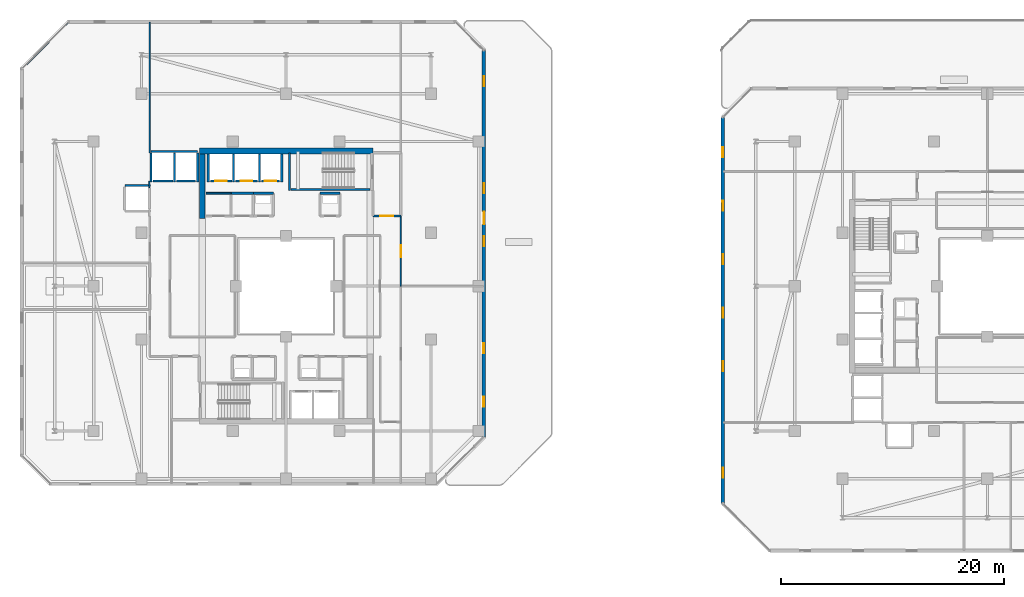
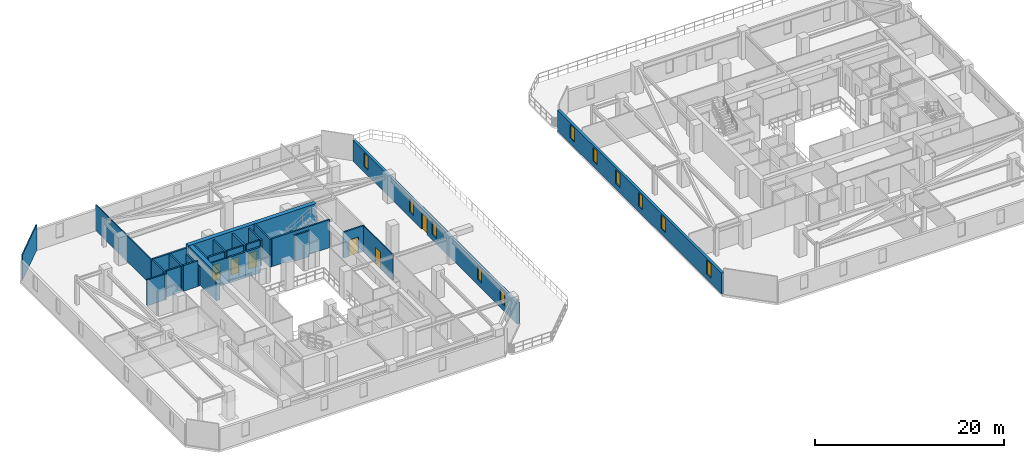
# One storey, part 22 of 32: 29 walls, 11 windows, 6 doors, 17 openings.
"""IFC4 building model written with IfcOpenShell, lengths in metres."""

from ifc_helpers import new_model, si_unit, direction, frame, frame_2d, origin, place, context, subcontext, project, spatial, rectangle, extrude, material, layer, layer_set, type_object, element, fill, save


model = new_model("IFC4")

# Units and contexts
model_context = context("Model", 3, precision=1e-05, world=origin(), true_north=direction((0.0, 1.0)))
body_context = subcontext(model_context, "Body", "Model", "MODEL_VIEW")
ifc_project = project(units=[si_unit("LENGTHUNIT", "METRE"), si_unit("AREAUNIT", "SQUARE_METRE"), si_unit("VOLUMEUNIT", "CUBIC_METRE"), si_unit("PLANEANGLEUNIT", "RADIAN"), si_unit("MASSUNIT", "GRAM", prefix="KILO")], contexts=[model_context])

# Site, building, storey
site_placement = place(None, origin())
site = spatial("IfcSite", under=ifc_project, at=site_placement, CompositionType="ELEMENT")
building_placement = place(site_placement, origin())
building = spatial("IfcBuilding", under=site, at=building_placement, Name="Thornwick Lancets Civic Towers", CompositionType="ELEMENT")
storey_placement = place(building_placement, frame((0.0, 0.0, 200.10009765625)))
storey = spatial("IfcBuildingStorey", under=building, at=storey_placement, Name="L53", CompositionType="ELEMENT", Elevation=200.10009765625)

# Wall, opening, door
ifc_material_1 = material(Name="Concrete blockwork C40/50", Category="masonry")
ifc_layer_1 = layer(ifc_material_1, 0.199951171875, Name="Concrete blockwork C40/50")
ifc_layer_set_1 = layer_set([ifc_layer_1], Name="Concrete blockwork C40/50")
wall_type_1 = type_object("IfcWallType", Name="WALL_COMP_200", PredefinedType="STANDARD", material=ifc_layer_set_1)
wall_1_placement = place(storey_placement, frame((24.919921875, 36.449951171875, 0.0), z_axis=(0.0, 0.0, 1.0), x_axis=(-1.0, 0.0, 0.0)))
wall_1 = element("IfcWall", 1, at=wall_1_placement, inside=storey, type_object=wall_type_1, Name="L53 Hoistway Front Wall FL-A2", PredefinedType="STANDARD", context=body_context, shape_type="SweptSolid", body=[
    extrude(rectangle(XDim=1.639892578125, YDim=0.199951171875, at=frame_2d((0.81982421875, 0.0))), origin(), (0.0, 0.0, 1.0), 3.31982421875),
])
opening_1_placement = place(wall_1_placement, frame((0.31005859375, 0.0, 0.0)))
opening_1 = element("IfcOpeningElement", 2, at=opening_1_placement, cuts=wall_1, Name="Opening LD-FL-A2", PredefinedType="OPENING", context=body_context, shape_type="SweptSolid", body=[
    extrude(rectangle(XDim=1.02001953125, YDim=2.06005859375, at=frame_2d((0.510009765625, 1.030029296875))), frame((0.0, 0.10986328125, 0.0), z_axis=(0.0, -1.0, 0.0), x_axis=(1.0, 0.0, 0.0)), (0.0, 0.0, 1.0), 0.219970703125),
])
ifc_material_2 = material(Name="Brushed bronze stainless steel", Category="steel")
door_type_1 = type_object("IfcDoorType", Name="DOOR_LIFT_SLIDE", OperationType="SLIDING_TO_LEFT", PredefinedType="DOOR", material=ifc_material_2)
door_1_placement = place(opening_1_placement, origin())
door_1 = element("IfcDoor", 3, at=door_1_placement, inside=storey, type_object=door_type_1, Name="L53 Sliding Lift Landing Door LD-FL-A2", OperationType="SLIDING_TO_LEFT", OverallHeight=2.06005859375, OverallWidth=1.02001953125, PredefinedType="DOOR", context=body_context, shape_type="SweptSolid", body=[
    extrude(rectangle(XDim=1.02001953125, YDim=2.06005859375, at=frame_2d((0.510009765625, 1.030029296875))), frame((0.0, 0.02490234375, 0.0), z_axis=(0.0, -1.0, 0.0), x_axis=(1.0, 0.0, 0.0)), (0.0, 0.0, 1.0), 0.050048828125),
])
fill(opening_1, door_1)

wall_2_placement = place(storey_placement, frame((22.919921875, 36.449951171875, 0.0), z_axis=(0.0, 0.0, 1.0), x_axis=(-1.0, 0.0, 0.0)))
wall_2 = element("IfcWall", 4, at=wall_2_placement, inside=storey, type_object=wall_type_1, Name="L53 Hoistway Front Wall PL-AH2", PredefinedType="STANDARD", context=body_context, shape_type="SweptSolid", body=[
    extrude(rectangle(XDim=1.989990234375, YDim=0.199951171875, at=frame_2d((0.9951171875, 0.0))), origin(), (0.0, 0.0, 1.0), 3.31982421875),
])
opening_2_placement = place(wall_2_placement, frame((0.485107421875, 0.0, 0.0)))
opening_2 = element("IfcOpeningElement", 5, at=opening_2_placement, cuts=wall_2, Name="Opening LD-PL-AH2", PredefinedType="OPENING", context=body_context, shape_type="SweptSolid", body=[
    extrude(rectangle(XDim=1.02001953125, YDim=2.06005859375, at=frame_2d((0.510009765625, 1.030029296875))), frame((0.0, 0.10986328125, 0.0), z_axis=(0.0, -1.0, 0.0), x_axis=(1.0, 0.0, 0.0)), (0.0, 0.0, 1.0), 0.219970703125),
])
door_2_placement = place(opening_2_placement, origin())
door_2 = element("IfcDoor", 6, at=door_2_placement, inside=storey, type_object=door_type_1, Name="L53 Sliding Lift Landing Door LD-PL-AH2", OperationType="SLIDING_TO_LEFT", OverallHeight=2.06005859375, OverallWidth=1.02001953125, PredefinedType="DOOR", context=body_context, shape_type="SweptSolid", body=[
    extrude(rectangle(XDim=1.02001953125, YDim=2.06005859375, at=frame_2d((0.510009765625, 1.030029296875))), frame((0.0, 0.02490234375, 0.0), z_axis=(0.0, -1.0, 0.0), x_axis=(1.0, 0.0, 0.0)), (0.0, 0.0, 1.0), 0.050048828125),
])
fill(opening_2, door_2)

wall_3_placement = place(storey_placement, frame((20.6201171875, 36.449951171875, 0.0), z_axis=(0.0, 0.0, 1.0), x_axis=(-1.0, 0.0, 0.0)))
wall_3 = element("IfcWall", 7, at=wall_3_placement, inside=storey, type_object=wall_type_1, Name="L53 Hoistway Front Wall PL-AH3", PredefinedType="STANDARD", context=body_context, shape_type="SweptSolid", body=[
    extrude(rectangle(XDim=1.940185546875, YDim=0.199951171875, at=frame_2d((0.97021484375, 0.0))), origin(), (0.0, 0.0, 1.0), 3.31982421875),
])
opening_3_placement = place(wall_3_placement, frame((0.4599609375, 0.0, 0.0)))
opening_3 = element("IfcOpeningElement", 8, at=opening_3_placement, cuts=wall_3, Name="Opening LD-PL-AH3", PredefinedType="OPENING", context=body_context, shape_type="SweptSolid", body=[
    extrude(rectangle(XDim=1.02001953125, YDim=2.06005859375, at=frame_2d((0.510009765625, 1.030029296875))), frame((0.0, 0.10986328125, 0.0), z_axis=(0.0, -1.0, 0.0), x_axis=(1.0, 0.0, 0.0)), (0.0, 0.0, 1.0), 0.219970703125),
])
door_3_placement = place(opening_3_placement, origin())
door_3 = element("IfcDoor", 9, at=door_3_placement, inside=storey, type_object=door_type_1, Name="L53 Sliding Lift Landing Door LD-PL-AH3", OperationType="SLIDING_TO_LEFT", OverallHeight=2.06005859375, OverallWidth=1.02001953125, PredefinedType="DOOR", context=body_context, shape_type="SweptSolid", body=[
    extrude(rectangle(XDim=1.02001953125, YDim=2.06005859375, at=frame_2d((0.510009765625, 1.030029296875))), frame((0.0, 0.02490234375, 0.0), z_axis=(0.0, -1.0, 0.0), x_axis=(1.0, 0.0, 0.0)), (0.0, 0.0, 1.0), 0.050048828125),
])
fill(opening_3, door_3)

# Walls
wall_4_placement = place(storey_placement, frame((17.3701171875, 36.449951171875, 0.0), z_axis=(0.0, 0.0, 1.0), x_axis=(-1.0, 0.0, 0.0)))
element("IfcWall", 10, at=wall_4_placement, inside=storey, type_object=wall_type_1, Name="L53 Hoistway Front Wall PL-AM1", PredefinedType="STANDARD", context=body_context, shape_type="SweptSolid", body=[
    extrude(rectangle(XDim=1.740234375, YDim=0.199951171875, at=frame_2d((0.8701171875, 0.0))), origin(), (0.0, 0.0, 1.0), 3.31982421875),
])
wall_5_placement = place(storey_placement, frame((15.320068359375, 36.449951171875, 0.0), z_axis=(0.0, 0.0, 1.0), x_axis=(-1.0, 0.0, 0.0)))
element("IfcWall", 11, at=wall_5_placement, inside=storey, type_object=wall_type_1, Name="L53 Hoistway Front Wall PL-AM2", PredefinedType="STANDARD", context=body_context, shape_type="SweptSolid", body=[
    extrude(rectangle(XDim=1.7900390625, YDim=0.199951171875, at=frame_2d((0.89501953125, 0.0))), origin(), (0.0, 0.0, 1.0), 3.31982421875),
])
for number, where, z_axis, x_axis, name in (
    (12, (25.10009765625, 36.35205078125, 0.0), (0.0, 0.0, 1.0), (0.0, 1.0, 0.0), "L53 Hoistway Shaft Wall FL-A2 E"),
    (13, (23.10009765625, 36.35205078125, 0.0), (0.0, 0.0, 1.0), (0.0, 1.0, 0.0), "L53 Hoistway Shaft Wall FL-A2 W"),
    (14, (20.77490234375, 36.35205078125, 0.0), (0.0, 0.0, 1.0), (0.0, 1.0, 0.0), "L53 Hoistway Shaft Wall PL-AH2 W"),
    (15, (18.5, 36.35205078125, 0.0), (0.0, 0.0, 1.0), (0.0, 1.0, 0.0), "L53 Hoistway Shaft Wall PL-AH3 W"),
):
    element("IfcWall", number, at=place(storey_placement, frame(where, z_axis=z_axis, x_axis=x_axis)), inside=storey, type_object=wall_type_1, Name=name, PredefinedType="STANDARD", context=body_context, shape_type="SweptSolid", body=[
        extrude(rectangle(XDim=2.535888671875, YDim=0.199951171875, at=frame_2d((1.26806640625, 0.0))), origin(), (0.0, 0.0, 1.0), 3.31982421875),
    ])
wall_6_placement = place(storey_placement, frame((13.35205078125, 39.10009765625, 0.0), z_axis=(0.0, 0.0, 1.0), x_axis=(1.0, 0.0, 0.0)))
element("IfcWall", 16, at=wall_6_placement, inside=storey, type_object=wall_type_1, Name="L53 Hoistway Shaft Wall PL-AM1 N", PredefinedType="STANDARD", context=body_context, shape_type="SweptSolid", body=[
    extrude(rectangle(XDim=4.196044921875, YDim=0.199951171875, at=frame_2d((2.09814453125, 0.0))), origin(), (0.0, 0.0, 1.0), 3.31982421875),
])
wall_7_placement = place(storey_placement, frame((17.550048828125, 36.35205078125, 0.0), z_axis=(0.0, 0.0, 1.0), x_axis=(0.0, 1.0, 0.0)))
element("IfcWall", 17, at=wall_7_placement, inside=storey, type_object=wall_type_1, Name="L53 Hoistway Shaft Wall PL-AM1 E", PredefinedType="STANDARD", context=body_context, shape_type="SweptSolid", body=[
    extrude(rectangle(XDim=2.635986328125, YDim=0.199951171875, at=frame_2d((1.31787109375, 0.0))), origin(), (0.0, 0.0, 1.0), 2.52490234375),
])
for number, where, z_axis, x_axis, name in (
    (18, (15.47509765625, 36.35205078125, 0.0), (0.0, 0.0, 1.0), (0.0, 1.0, 0.0), "L53 Hoistway Shaft Wall PL-AM1 W"),
    (19, (13.35009765625, 36.35205078125, 0.0), (0.0, 0.0, 1.0), (0.0, 1.0, 0.0), "L53 Hoistway Shaft Wall PL-AM2 W"),
):
    element("IfcWall", number, at=place(storey_placement, frame(where, z_axis=z_axis, x_axis=x_axis)), inside=storey, type_object=wall_type_1, Name=name, PredefinedType="STANDARD", context=body_context, shape_type="SweptSolid", body=[
        extrude(rectangle(XDim=2.635986328125, YDim=0.199951171875, at=frame_2d((1.31787109375, 0.0))), origin(), (0.0, 0.0, 1.0), 3.31982421875),
    ])
wall_8_placement = place(storey_placement, frame((11.001953125, 36.050048828125, 0.0), z_axis=(0.0, 0.0, 1.0), x_axis=(1.0, 0.0, 0.0)))
element("IfcWall", 20, at=wall_8_placement, inside=storey, type_object=wall_type_1, Name="L53 Hoistway Shaft Wall PL-AM3 N", PredefinedType="STANDARD", context=body_context, shape_type="SweptSolid", body=[
    extrude(rectangle(XDim=2.296142578125, YDim=0.199951171875, at=frame_2d((1.14794921875, 0.0))), origin(), (0.0, 0.0, 1.0), 3.31982421875),
])

# Wall, opening, door
wall_9_placement = place(storey_placement, frame((33.300048828125, 33.300048828125, 0.0), z_axis=(0.0, 0.0, 1.0), x_axis=(1.0, 0.0, 0.0)))
wall_9 = element("IfcWall", 21, at=wall_9_placement, inside=storey, type_object=wall_type_1, Name="L53 Partition L53-A-FFLOB2 E1", PredefinedType="STANDARD", context=body_context, shape_type="SweptSolid", body=[
    extrude(rectangle(XDim=2.5, YDim=0.199951171875, at=frame_2d((1.25, 0.0))), origin(), (0.0, 0.0, 1.0), 3.31982421875),
])
opening_4_placement = place(wall_9_placement, frame((0.675048828125, 0.0, 0.0)))
opening_4 = element("IfcOpeningElement", 22, at=opening_4_placement, cuts=wall_9, Name="Opening D-L53-2346", PredefinedType="OPENING", context=body_context, shape_type="SweptSolid", body=[
    extrude(rectangle(XDim=1.14990234375, YDim=2.10009765625, at=frame_2d((0.574951171875, 1.050048828125))), frame((0.0, 0.10986328125, 0.0), z_axis=(0.0, -1.0, 0.0), x_axis=(1.0, 0.0, 0.0)), (0.0, 0.0, 1.0), 0.219970703125),
])
ifc_material_3 = material(Name="Glazed fire-resisting steel", Category="steel")
door_type_2 = type_object("IfcDoorType", Name="DOOR_LOBBY_FD60", OperationType="NOTDEFINED", PredefinedType="DOOR", material=ifc_material_3)
door_4_placement = place(opening_4_placement, origin())
door_4 = element("IfcDoor", 23, at=door_4_placement, inside=storey, type_object=door_type_2, Name="L53 North Firefighting Lobby 2 Door", OperationType="SINGLE_SWING_LEFT", OverallHeight=2.10009765625, OverallWidth=1.14990234375, PredefinedType="DOOR", context=body_context, shape_type="SweptSolid", body=[
    extrude(rectangle(XDim=1.14990234375, YDim=2.10009765625, at=frame_2d((0.574951171875, 1.050048828125))), frame((0.0, 0.02490234375, 0.0), z_axis=(0.0, -1.0, 0.0), x_axis=(1.0, 0.0, 0.0)), (0.0, 0.0, 1.0), 0.050048828125),
])
fill(opening_4, door_4)

# Walls
for number, where, z_axis, x_axis, name in (
    (24, (24.35009765625, 35.35009765625, 0.0), (0.0, 0.0, 1.0), (-1.0, 0.0, 0.0), "L53 Partition L53-A-DUCT2 E3"),
    (25, (30.35009765625, 35.35009765625, 0.0), (0.0, 0.0, 1.0), (-1.0, 0.0, 0.0), "L53 Partition L53-A-RISER2 E3"),
):
    element("IfcWall", number, at=place(storey_placement, frame(where, z_axis=z_axis, x_axis=x_axis)), inside=storey, type_object=wall_type_1, Name=name, PredefinedType="STANDARD", context=body_context, shape_type="SweptSolid", body=[
        extrude(rectangle(XDim=1.800048828125, YDim=0.199951171875, at=frame_2d((0.89990234375, 0.0))), origin(), (0.0, 0.0, 1.0), 3.31982421875),
    ])
wall_10_placement = place(storey_placement, frame((20.550048828125, 35.35009765625, 0.0), z_axis=(0.0, 0.0, 1.0), x_axis=(1.0, 0.0, 0.0)))
element("IfcWall", 26, at=wall_10_placement, inside=storey, type_object=wall_type_1, Name="L53 Partition L53-A-STR E2", PredefinedType="STANDARD", context=body_context, shape_type="SweptSolid", body=[
    extrude(rectangle(XDim=2.0, YDim=0.199951171875, at=frame_2d((1.0, 0.0))), origin(), (0.0, 0.0, 1.0), 3.31982421875),
])
ifc_material_4 = material(Name="Concrete C50/60", Category="concrete")
ifc_layer_2 = layer(ifc_material_4, 0.5, Name="Concrete C50/60")
ifc_layer_set_2 = layer_set([ifc_layer_2], Name="Concrete C50/60")
wall_type_2 = type_object("IfcWallType", Name="WALL_CORE_500", PredefinedType="SHEAR", material=ifc_layer_set_2)
wall_11_placement = place(storey_placement, frame((17.699951171875, 39.14990234375, 0.0), z_axis=(0.0, 0.0, 1.0), x_axis=(1.0, 0.0, 0.0)))
element("IfcWall", 27, at=wall_11_placement, inside=storey, type_object=wall_type_2, Name="L53 Split Core A2 Shear Wall N", PredefinedType="SHEAR", context=body_context, shape_type="SweptSolid", body=[
    extrude(rectangle(XDim=15.60009765625, YDim=0.5, at=frame_2d((7.800048828125, 0.0))), origin(), (0.0, 0.0, 1.0), 3.599853515625),
])
wall_12_placement = place(storey_placement, frame((17.949951171875, 33.10009765625, 0.0), z_axis=(0.0, 0.0, 1.0), x_axis=(0.0, 1.0, 0.0)))
element("IfcWall", 28, at=wall_12_placement, inside=storey, type_object=wall_type_2, Name="L53 Split Core A2 Shear Wall W", PredefinedType="SHEAR", context=body_context, shape_type="SweptSolid", body=[
    extrude(rectangle(XDim=5.7998046875, YDim=0.5, at=frame_2d((2.89990234375, 0.0))), origin(), (0.0, 0.0, 1.0), 3.599853515625),
])

# Wall, openings, door, windows
ifc_material_5 = material(Name="Insulated russet terracotta rainscreen on concrete C40/50", Category="masonry")
ifc_layer_3 = layer(ifc_material_5, 0.300048828125, Name="Insulated russet terracotta rainscreen on concrete C40/50")
ifc_layer_set_3 = layer_set([ifc_layer_3], Name="Insulated russet terracotta rainscreen on concrete C40/50")
wall_type_3 = type_object("IfcWallType", Name="WALL_EXT_RUSSET_300", PredefinedType="STANDARD", material=ifc_layer_set_3)
wall_13_placement = place(storey_placement, frame((43.25927734375, 13.47412109375, 0.0), z_axis=(0.0, 0.0, 1.0), x_axis=(0.000154754115, 0.999999988026, 0.0)))
wall_13 = element("IfcWall", 29, at=wall_13_placement, inside=storey, type_object=wall_type_3, Name="L53 Tower A Terracotta Facade Wall E2", PredefinedType="STANDARD", context=body_context, shape_type="SweptSolid", body=[
    extrude(rectangle(XDim=34.707275390625, YDim=0.300048828125, at=frame_2d((17.353515625, 0.0))), origin(), (0.0, 0.0, 1.0), 2.699951171875),
])
opening_5_placement = place(wall_13_placement, frame((19.07861328125, 0.0, 0.0)))
opening_5 = element("IfcOpeningElement", 30, at=opening_5_placement, cuts=wall_13, Name="Opening D-SG-L53-A2", PredefinedType="OPENING", context=body_context, shape_type="SweptSolid", body=[
    extrude(rectangle(XDim=1.14990234375, YDim=2.10009765625, at=frame_2d((0.574951171875, 1.050048828125))), frame((0.0, 0.16015625, 0.0), z_axis=(0.0, -1.0, 0.0), x_axis=(1.0, 0.0, 0.0)), (0.0, 0.0, 1.0), 0.320068359375),
])
opening_6_placement = place(wall_13_placement, frame((2.699951171875, 0.0, 0.719970703125)))
opening_6 = element("IfcOpeningElement", 31, at=opening_6_placement, cuts=wall_13, Name="Opening WL-01", PredefinedType="OPENING", context=body_context, shape_type="SweptSolid", body=[
    extrude(rectangle(XDim=0.89990234375, YDim=1.75, at=frame_2d((0.449951171875, 0.875))), frame((0.0, 0.16015625, 0.0), z_axis=(0.0, -1.0, 0.0), x_axis=(1.0, 0.0, 0.0)), (0.0, 0.0, 1.0), 0.320068359375),
])
opening_7_placement = place(wall_13_placement, frame((7.5, 0.0, 0.719970703125)))
opening_7 = element("IfcOpeningElement", 32, at=opening_7_placement, cuts=wall_13, Name="Opening WL-01", PredefinedType="OPENING", context=body_context, shape_type="SweptSolid", body=[
    extrude(rectangle(XDim=0.89990234375, YDim=1.75, at=frame_2d((0.449951171875, 0.875))), frame((0.0, 0.16015625, 0.0), z_axis=(0.0, -1.0, 0.0), x_axis=(1.0, 0.0, 0.0)), (0.0, 0.0, 1.0), 0.320068359375),
])
opening_8_placement = place(wall_13_placement, frame((17.10009765625, 0.0, 0.719970703125)))
opening_8 = element("IfcOpeningElement", 33, at=opening_8_placement, cuts=wall_13, Name="Opening WL-01", PredefinedType="OPENING", context=body_context, shape_type="SweptSolid", body=[
    extrude(rectangle(XDim=0.89990234375, YDim=1.75, at=frame_2d((0.449951171875, 0.875))), frame((0.0, 0.16015625, 0.0), z_axis=(0.0, -1.0, 0.0), x_axis=(1.0, 0.0, 0.0)), (0.0, 0.0, 1.0), 0.320068359375),
])
opening_9_placement = place(wall_13_placement, frame((21.89990234375, 0.0, 0.719970703125)))
opening_9 = element("IfcOpeningElement", 34, at=opening_9_placement, cuts=wall_13, Name="Opening WL-01", PredefinedType="OPENING", context=body_context, shape_type="SweptSolid", body=[
    extrude(rectangle(XDim=0.89990234375, YDim=1.75, at=frame_2d((0.449951171875, 0.875))), frame((0.0, 0.16015625, 0.0), z_axis=(0.0, -1.0, 0.0), x_axis=(1.0, 0.0, 0.0)), (0.0, 0.0, 1.0), 0.320068359375),
])
opening_10_placement = place(wall_13_placement, frame((31.5, 0.0, 0.719970703125)))
opening_10 = element("IfcOpeningElement", 35, at=opening_10_placement, cuts=wall_13, Name="Opening WL-01", PredefinedType="OPENING", context=body_context, shape_type="SweptSolid", body=[
    extrude(rectangle(XDim=0.89990234375, YDim=1.75, at=frame_2d((0.449951171875, 0.875))), frame((0.0, 0.16015625, 0.0), z_axis=(0.0, -1.0, 0.0), x_axis=(1.0, 0.0, 0.0)), (0.0, 0.0, 1.0), 0.320068359375),
])
ifc_material_6 = material(Name="Thermally broken glazed terrace doorset")
door_type_3 = type_object("IfcDoorType", Name="DOOR_TERRACE_1200", OperationType="NOTDEFINED", PredefinedType="DOOR", material=ifc_material_6)
door_5_placement = place(opening_5_placement, origin())
door_5 = element("IfcDoor", 36, at=door_5_placement, inside=storey, type_object=door_type_3, Name="L53 Tower A Sky-Garden Terrace Door", OperationType="SINGLE_SWING_RIGHT", OverallHeight=2.10009765625, OverallWidth=1.14990234375, PredefinedType="DOOR", context=body_context, shape_type="SweptSolid", body=[
    extrude(rectangle(XDim=1.14990234375, YDim=2.10009765625, at=frame_2d((0.574951171875, 1.050048828125))), frame((0.0, 0.02490234375, 0.0), z_axis=(0.0, -1.0, 0.0), x_axis=(1.0, 0.0, 0.0)), (0.0, 0.0, 1.0), 0.050048828125),
])
fill(opening_5, door_5)
ifc_material_7 = material(Name="Clear low-e double glazing in bronze frame", Category="glass")
window_type = type_object("IfcWindowType", Name="WIN_LANCET_900", PartitioningType="SINGLE_PANEL", PredefinedType="WINDOW", material=ifc_material_7)
window_1_placement = place(opening_6_placement, origin())
window_1 = element("IfcWindow", 37, at=window_1_placement, inside=storey, type_object=window_type, Name="L53 Tower A Staggered Lancet Window E2-1", OverallHeight=1.75, OverallWidth=0.89990234375, PartitioningType="SINGLE_PANEL", PredefinedType="WINDOW", context=body_context, shape_type="SweptSolid", body=[
    extrude(rectangle(XDim=0.89990234375, YDim=1.75, at=frame_2d((0.449951171875, 0.875))), frame((0.0, 0.030029296875, 0.0), z_axis=(0.0, -1.0, 0.0), x_axis=(1.0, 0.0, 0.0)), (0.0, 0.0, 1.0), 0.06005859375),
])
fill(opening_6, window_1)
window_2_placement = place(opening_7_placement, origin())
window_2 = element("IfcWindow", 38, at=window_2_placement, inside=storey, type_object=window_type, Name="L53 Tower A Staggered Lancet Window E2-2", OverallHeight=1.75, OverallWidth=0.89990234375, PartitioningType="SINGLE_PANEL", PredefinedType="WINDOW", context=body_context, shape_type="SweptSolid", body=[
    extrude(rectangle(XDim=0.89990234375, YDim=1.75, at=frame_2d((0.449951171875, 0.875))), frame((0.0, 0.030029296875, 0.0), z_axis=(0.0, -1.0, 0.0), x_axis=(1.0, 0.0, 0.0)), (0.0, 0.0, 1.0), 0.06005859375),
])
fill(opening_7, window_2)
window_3_placement = place(opening_8_placement, origin())
window_3 = element("IfcWindow", 39, at=window_3_placement, inside=storey, type_object=window_type, Name="L53 Tower A Staggered Lancet Window E2-3", OverallHeight=1.75, OverallWidth=0.89990234375, PartitioningType="SINGLE_PANEL", PredefinedType="WINDOW", context=body_context, shape_type="SweptSolid", body=[
    extrude(rectangle(XDim=0.89990234375, YDim=1.75, at=frame_2d((0.449951171875, 0.875))), frame((0.0, 0.030029296875, 0.0), z_axis=(0.0, -1.0, 0.0), x_axis=(1.0, 0.0, 0.0)), (0.0, 0.0, 1.0), 0.06005859375),
])
fill(opening_8, window_3)
window_4_placement = place(opening_9_placement, origin())
window_4 = element("IfcWindow", 40, at=window_4_placement, inside=storey, type_object=window_type, Name="L53 Tower A Staggered Lancet Window E2-4", OverallHeight=1.75, OverallWidth=0.89990234375, PartitioningType="SINGLE_PANEL", PredefinedType="WINDOW", context=body_context, shape_type="SweptSolid", body=[
    extrude(rectangle(XDim=0.89990234375, YDim=1.75, at=frame_2d((0.449951171875, 0.875))), frame((0.0, 0.030029296875, 0.0), z_axis=(0.0, -1.0, 0.0), x_axis=(1.0, 0.0, 0.0)), (0.0, 0.0, 1.0), 0.06005859375),
])
fill(opening_9, window_4)
window_5_placement = place(opening_10_placement, origin())
window_5 = element("IfcWindow", 41, at=window_5_placement, inside=storey, type_object=window_type, Name="L53 Tower A Staggered Lancet Window E2-5", OverallHeight=1.75, OverallWidth=0.89990234375, PartitioningType="SINGLE_PANEL", PredefinedType="WINDOW", context=body_context, shape_type="SweptSolid", body=[
    extrude(rectangle(XDim=0.89990234375, YDim=1.75, at=frame_2d((0.449951171875, 0.875))), frame((0.0, 0.030029296875, 0.0), z_axis=(0.0, -1.0, 0.0), x_axis=(1.0, 0.0, 0.0)), (0.0, 0.0, 1.0), 0.06005859375),
])
fill(opening_10, window_5)

# Wall, openings, windows
wall_14_placement = place(storey_placement, frame((64.7353515625, 42.181396484375, 0.0), z_axis=(0.0, 0.0, 1.0), x_axis=(0.000154754115, -0.999999988026, 0.0)))
wall_14 = element("IfcWall", 42, at=wall_14_placement, inside=storey, type_object=wall_type_3, Name="L53 Tower B Terracotta Facade Wall E6", PredefinedType="STANDARD", context=body_context, shape_type="SweptSolid", body=[
    extrude(rectangle(XDim=34.707275390625, YDim=0.300048828125, at=frame_2d((17.353515625, 0.0))), origin(), (0.0, 0.0, 1.0), 2.699951171875),
])
opening_11_placement = place(wall_14_placement, frame((2.699951171875, 0.0, 0.719970703125)))
opening_11 = element("IfcOpeningElement", 43, at=opening_11_placement, cuts=wall_14, Name="Opening WL-01", PredefinedType="OPENING", context=body_context, shape_type="SweptSolid", body=[
    extrude(rectangle(XDim=0.89990234375, YDim=1.75, at=frame_2d((0.449951171875, 0.875))), frame((0.0, 0.16015625, 0.0), z_axis=(0.0, -1.0, 0.0), x_axis=(1.0, 0.0, 0.0)), (0.0, 0.0, 1.0), 0.320068359375),
])
opening_12_placement = place(wall_14_placement, frame((7.5, 0.0, 0.719970703125)))
opening_12 = element("IfcOpeningElement", 44, at=opening_12_placement, cuts=wall_14, Name="Opening WL-01", PredefinedType="OPENING", context=body_context, shape_type="SweptSolid", body=[
    extrude(rectangle(XDim=0.89990234375, YDim=1.75, at=frame_2d((0.449951171875, 0.875))), frame((0.0, 0.16015625, 0.0), z_axis=(0.0, -1.0, 0.0), x_axis=(1.0, 0.0, 0.0)), (0.0, 0.0, 1.0), 0.320068359375),
])
opening_13_placement = place(wall_14_placement, frame((12.300048828125, 0.0, 0.719970703125)))
opening_13 = element("IfcOpeningElement", 45, at=opening_13_placement, cuts=wall_14, Name="Opening WL-01", PredefinedType="OPENING", context=body_context, shape_type="SweptSolid", body=[
    extrude(rectangle(XDim=0.89990234375, YDim=1.75, at=frame_2d((0.449951171875, 0.875))), frame((0.0, 0.16015625, 0.0), z_axis=(0.0, -1.0, 0.0), x_axis=(1.0, 0.0, 0.0)), (0.0, 0.0, 1.0), 0.320068359375),
])
opening_14_placement = place(wall_14_placement, frame((17.10009765625, 0.0, 0.719970703125)))
opening_14 = element("IfcOpeningElement", 46, at=opening_14_placement, cuts=wall_14, Name="Opening WL-01", PredefinedType="OPENING", context=body_context, shape_type="SweptSolid", body=[
    extrude(rectangle(XDim=0.89990234375, YDim=1.75, at=frame_2d((0.449951171875, 0.875))), frame((0.0, 0.16015625, 0.0), z_axis=(0.0, -1.0, 0.0), x_axis=(1.0, 0.0, 0.0)), (0.0, 0.0, 1.0), 0.320068359375),
])
opening_15_placement = place(wall_14_placement, frame((21.89990234375, 0.0, 0.719970703125)))
opening_15 = element("IfcOpeningElement", 47, at=opening_15_placement, cuts=wall_14, Name="Opening WL-01", PredefinedType="OPENING", context=body_context, shape_type="SweptSolid", body=[
    extrude(rectangle(XDim=0.89990234375, YDim=1.75, at=frame_2d((0.449951171875, 0.875))), frame((0.0, 0.16015625, 0.0), z_axis=(0.0, -1.0, 0.0), x_axis=(1.0, 0.0, 0.0)), (0.0, 0.0, 1.0), 0.320068359375),
])
opening_16_placement = place(wall_14_placement, frame((31.5, 0.0, 0.719970703125)))
opening_16 = element("IfcOpeningElement", 48, at=opening_16_placement, cuts=wall_14, Name="Opening WL-01", PredefinedType="OPENING", context=body_context, shape_type="SweptSolid", body=[
    extrude(rectangle(XDim=0.89990234375, YDim=1.75, at=frame_2d((0.449951171875, 0.875))), frame((0.0, 0.16015625, 0.0), z_axis=(0.0, -1.0, 0.0), x_axis=(1.0, 0.0, 0.0)), (0.0, 0.0, 1.0), 0.320068359375),
])
window_6_placement = place(opening_11_placement, origin())
window_6 = element("IfcWindow", 49, at=window_6_placement, inside=storey, type_object=window_type, Name="L53 Tower B Staggered Lancet Window E6-1", OverallHeight=1.75, OverallWidth=0.89990234375, PartitioningType="SINGLE_PANEL", PredefinedType="WINDOW", context=body_context, shape_type="SweptSolid", body=[
    extrude(rectangle(XDim=0.89990234375, YDim=1.75, at=frame_2d((0.449951171875, 0.875))), frame((0.0, 0.030029296875, 0.0), z_axis=(0.0, -1.0, 0.0), x_axis=(1.0, 0.0, 0.0)), (0.0, 0.0, 1.0), 0.06005859375),
])
fill(opening_11, window_6)
window_7_placement = place(opening_12_placement, origin())
window_7 = element("IfcWindow", 50, at=window_7_placement, inside=storey, type_object=window_type, Name="L53 Tower B Staggered Lancet Window E6-2", OverallHeight=1.75, OverallWidth=0.89990234375, PartitioningType="SINGLE_PANEL", PredefinedType="WINDOW", context=body_context, shape_type="SweptSolid", body=[
    extrude(rectangle(XDim=0.89990234375, YDim=1.75, at=frame_2d((0.449951171875, 0.875))), frame((0.0, 0.030029296875, 0.0), z_axis=(0.0, -1.0, 0.0), x_axis=(1.0, 0.0, 0.0)), (0.0, 0.0, 1.0), 0.06005859375),
])
fill(opening_12, window_7)
window_8_placement = place(opening_13_placement, origin())
window_8 = element("IfcWindow", 51, at=window_8_placement, inside=storey, type_object=window_type, Name="L53 Tower B Staggered Lancet Window E6-3", OverallHeight=1.75, OverallWidth=0.89990234375, PartitioningType="SINGLE_PANEL", PredefinedType="WINDOW", context=body_context, shape_type="SweptSolid", body=[
    extrude(rectangle(XDim=0.89990234375, YDim=1.75, at=frame_2d((0.449951171875, 0.875))), frame((0.0, 0.030029296875, 0.0), z_axis=(0.0, -1.0, 0.0), x_axis=(1.0, 0.0, 0.0)), (0.0, 0.0, 1.0), 0.06005859375),
])
fill(opening_13, window_8)
window_9_placement = place(opening_14_placement, origin())
window_9 = element("IfcWindow", 52, at=window_9_placement, inside=storey, type_object=window_type, Name="L53 Tower B Staggered Lancet Window E6-4", OverallHeight=1.75, OverallWidth=0.89990234375, PartitioningType="SINGLE_PANEL", PredefinedType="WINDOW", context=body_context, shape_type="SweptSolid", body=[
    extrude(rectangle(XDim=0.89990234375, YDim=1.75, at=frame_2d((0.449951171875, 0.875))), frame((0.0, 0.030029296875, 0.0), z_axis=(0.0, -1.0, 0.0), x_axis=(1.0, 0.0, 0.0)), (0.0, 0.0, 1.0), 0.06005859375),
])
fill(opening_14, window_9)
window_10_placement = place(opening_15_placement, origin())
window_10 = element("IfcWindow", 53, at=window_10_placement, inside=storey, type_object=window_type, Name="L53 Tower B Staggered Lancet Window E6-5", OverallHeight=1.75, OverallWidth=0.89990234375, PartitioningType="SINGLE_PANEL", PredefinedType="WINDOW", context=body_context, shape_type="SweptSolid", body=[
    extrude(rectangle(XDim=0.89990234375, YDim=1.75, at=frame_2d((0.449951171875, 0.875))), frame((0.0, 0.030029296875, 0.0), z_axis=(0.0, -1.0, 0.0), x_axis=(1.0, 0.0, 0.0)), (0.0, 0.0, 1.0), 0.06005859375),
])
fill(opening_15, window_10)
window_11_placement = place(opening_16_placement, origin())
window_11 = element("IfcWindow", 54, at=window_11_placement, inside=storey, type_object=window_type, Name="L53 Tower B Staggered Lancet Window E6-6", OverallHeight=1.75, OverallWidth=0.89990234375, PartitioningType="SINGLE_PANEL", PredefinedType="WINDOW", context=body_context, shape_type="SweptSolid", body=[
    extrude(rectangle(XDim=0.89990234375, YDim=1.75, at=frame_2d((0.449951171875, 0.875))), frame((0.0, 0.030029296875, 0.0), z_axis=(0.0, -1.0, 0.0), x_axis=(1.0, 0.0, 0.0)), (0.0, 0.0, 1.0), 0.06005859375),
])
fill(opening_16, window_11)

# Walls
ifc_material_8 = material(Name="Acoustic gypsum board partition")
ifc_layer_4 = layer(ifc_material_8, 0.1201171875, Name="Acoustic gypsum board partition")
ifc_layer_set_4 = layer_set([ifc_layer_4], Name="Acoustic gypsum board partition")
wall_type_4 = type_object("IfcWallType", Name="WALL_PART_120", PredefinedType="PARTITIONING", material=ifc_layer_set_4)
wall_15_placement = place(storey_placement, frame((1.780029296875, 46.5634765625, 0.0), z_axis=(0.0, 0.0, 1.0), x_axis=(0.707106781187, 0.707106781187, 0.0)))
element("IfcWall", 55, at=wall_15_placement, inside=storey, type_object=wall_type_4, Name="L53 Partition L53-A-W2B E2", PredefinedType="PARTITIONING", context=body_context, shape_type="SweptSolid", body=[
    extrude(rectangle(XDim=5.878173828125, YDim=0.1201171875, at=frame_2d((2.93896484375, 0.0))), origin(), (0.0, 0.0, 1.0), 3.31982421875),
])
wall_16_placement = place(storey_placement, frame((13.25, 50.719970703125, 0.0), z_axis=(0.0, 0.0, 1.0), x_axis=(0.0, -1.0, 0.0)))
element("IfcWall", 56, at=wall_16_placement, inside=storey, type_object=wall_type_4, Name="L53 Partition L53-A-W2B E4", PredefinedType="PARTITIONING", context=body_context, shape_type="SweptSolid", body=[
    extrude(rectangle(XDim=11.73193359375, YDim=0.1201171875, at=frame_2d((5.865966796875, 0.0))), origin(), (0.0, 0.0, 1.0), 3.31982421875),
])
wall_17_placement = place(storey_placement, frame((13.199951171875, 36.449951171875, 0.0), z_axis=(0.0, 0.0, 1.0), x_axis=(0.0, -1.0, 0.0)))
element("IfcWall", 57, at=wall_17_placement, inside=storey, type_object=wall_type_4, Name="L53 Partition L53-A-W2B E6", PredefinedType="PARTITIONING", context=body_context, shape_type="SweptSolid", body=[
    extrude(rectangle(XDim=0.579833984375, YDim=0.1201171875, at=frame_2d((0.2900390625, 0.0))), origin(), (0.0, 0.0, 1.0), 3.31982421875),
])

# Wall, opening, door
wall_18_placement = place(storey_placement, frame((35.800048828125, 27.0, 0.0), z_axis=(0.0, 0.0, 1.0), x_axis=(0.0, 1.0, 0.0)))
wall_18 = element("IfcWall", 58, at=wall_18_placement, inside=storey, type_object=wall_type_4, Name="L53 Partition L53-A-E2 E7", PredefinedType="PARTITIONING", context=body_context, shape_type="SweptSolid", body=[
    extrude(rectangle(XDim=6.300048828125, YDim=0.1201171875, at=frame_2d((3.14990234375, 0.0))), origin(), (0.0, 0.0, 1.0), 3.31982421875),
])
opening_17_placement = place(wall_18_placement, frame((2.625, 0.0, 0.0)))
opening_17 = element("IfcOpeningElement", 59, at=opening_17_placement, cuts=wall_18, Name="Opening D-L53-2373", PredefinedType="OPENING", context=body_context, shape_type="SweptSolid", body=[
    extrude(rectangle(XDim=1.050048828125, YDim=2.10009765625, at=frame_2d((0.52490234375, 1.050048828125))), frame((0.0, 0.070068359375, 0.0), z_axis=(0.0, -1.0, 0.0), x_axis=(1.0, 0.0, 0.0)), (0.0, 0.0, 1.0), 0.14013671875),
])
ifc_material_9 = material(Name="Glazed European oak executive doorset")
door_type_4 = type_object("IfcDoorType", Name="DOOR_OFFICE_1050", OperationType="NOTDEFINED", PredefinedType="DOOR", material=ifc_material_9)
door_6_placement = place(opening_17_placement, origin())
door_6 = element("IfcDoor", 60, at=door_6_placement, inside=storey, type_object=door_type_4, Name="L53 Tower A Visitors Reception and Waiting Door", OperationType="SINGLE_SWING_RIGHT", OverallHeight=2.10009765625, OverallWidth=1.050048828125, PredefinedType="DOOR", context=body_context, shape_type="SweptSolid", body=[
    extrude(rectangle(XDim=1.050048828125, YDim=2.10009765625, at=frame_2d((0.52490234375, 1.050048828125))), frame((0.0, 0.02490234375, 0.0), z_axis=(0.0, -1.0, 0.0), x_axis=(1.0, 0.0, 0.0)), (0.0, 0.0, 1.0), 0.050048828125),
])
fill(opening_17, door_6)

# Walls
ifc_material_10 = material(Name="Twin-stud acoustic gypsum board")
ifc_layer_5 = layer(ifc_material_10, 0.14990234375, Name="Twin-stud acoustic gypsum board")
ifc_layer_set_5 = layer_set([ifc_layer_5], Name="Twin-stud acoustic gypsum board")
wall_type_5 = type_object("IfcWallType", Name="WALL_PART_150", PredefinedType="PARTITIONING", material=ifc_layer_set_5)
wall_19_placement = place(storey_placement, frame((20.550048828125, 35.35009765625, 0.0), z_axis=(0.0, 0.0, 1.0), x_axis=(-1.0, 0.0, 0.0)))
element("IfcWall", 61, at=wall_19_placement, inside=storey, type_object=wall_type_5, Name="L53 Partition L53-A-AWC E3", PredefinedType="PARTITIONING", context=body_context, shape_type="SweptSolid", body=[
    extrude(rectangle(XDim=2.25, YDim=0.14990234375, at=frame_2d((1.125, 0.0))), origin(), (0.0, 0.0, 1.0), 3.31982421875),
])
ifc_material_11 = material(Name="Concrete C40/50", Category="concrete")
ifc_layer_6 = layer(ifc_material_11, 0.199951171875, Name="Concrete C40/50")
ifc_layer_set_6 = layer_set([ifc_layer_6], Name="Concrete C40/50")
wall_type_6 = type_object("IfcWallType", Name="WALL_SHAFT_200", PredefinedType="SHEAR", material=ifc_layer_set_6)
wall_20_placement = place(storey_placement, frame((25.800048828125, 35.60009765625, 0.0), z_axis=(0.0, 0.0, 1.0), x_axis=(0.0, 1.0, 0.0)))
element("IfcWall", 62, at=wall_20_placement, inside=storey, type_object=wall_type_6, Name="L53 ST-A2 Fire Stair Core Wall FAR", PredefinedType="SHEAR", context=body_context, shape_type="SweptSolid", body=[
    extrude(rectangle(XDim=3.349853515625, YDim=0.199951171875, at=frame_2d((1.6748046875, 0.0))), origin(), (0.0, 0.0, 1.0), 3.599853515625),
])
wall_21_placement = place(storey_placement, frame((25.949951171875, 35.702880859375, 0.0), z_axis=(0.0, 0.0, 1.0), x_axis=(1.0, 0.0, 0.0)))
element("IfcWall", 63, at=wall_21_placement, inside=storey, type_object=wall_type_6, Name="L53 ST-A2 Fire Stair Core Wall RIGHT", PredefinedType="SHEAR", context=body_context, shape_type="SweptSolid", body=[
    extrude(rectangle(XDim=7.10009765625, YDim=0.199951171875, at=frame_2d((3.550048828125, 0.0))), origin(), (0.0, 0.0, 1.0), 3.599853515625),
])

save(model, "model.ifc")
